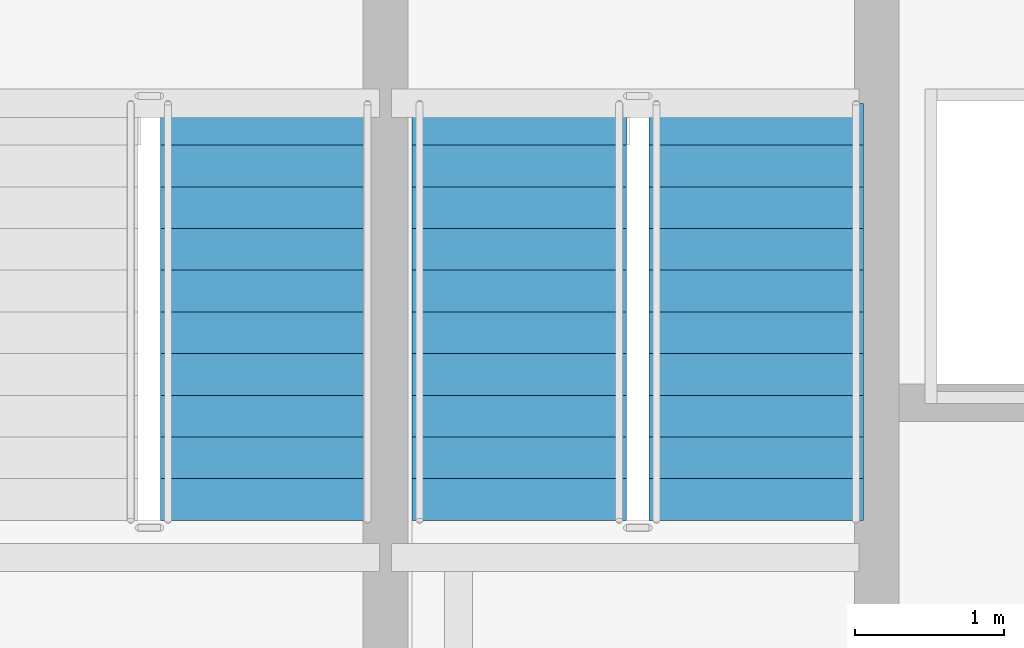
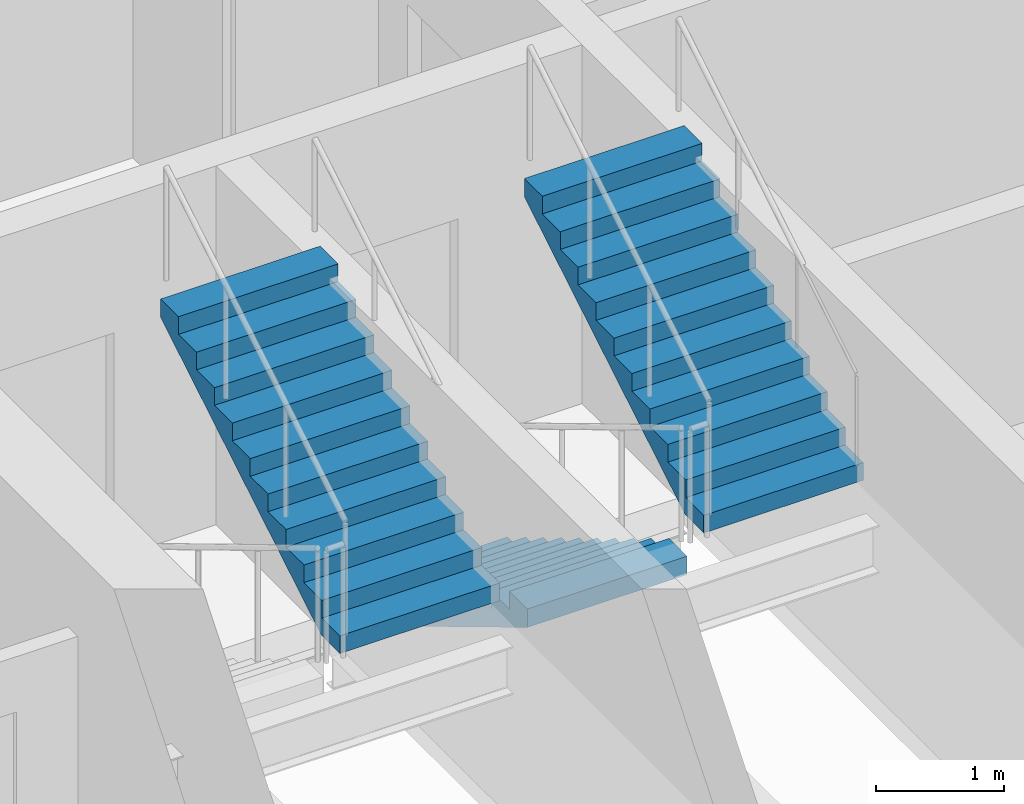
# One storey, part 29 of 34: 3 stair flights, 2 elements without a shape of their own.
"""IFC4 building model written with IfcOpenShell, lengths in metres."""

from ifc_helpers import new_model, si_unit, direction, frame, origin, place, context, subcontext, project, spatial, polyline, outline, extrude, material, layer, layer_set, type_object, element, aggregate, save


model = new_model("IFC4")

# Units and contexts
model_context = context("Model", 3, precision=1e-05, world=origin(), true_north=direction((0.0, 1.0)))
body_context = subcontext(model_context, "Body", "Model", "MODEL_VIEW")
ifc_project = project(units=[si_unit("LENGTHUNIT", "METRE"), si_unit("AREAUNIT", "SQUARE_METRE"), si_unit("VOLUMEUNIT", "CUBIC_METRE"), si_unit("PLANEANGLEUNIT", "RADIAN"), si_unit("MASSUNIT", "GRAM", prefix="KILO")], contexts=[model_context])

# Site, building, storey
site_placement = place(None, origin())
site = spatial("IfcSite", under=ifc_project, at=site_placement, CompositionType="ELEMENT")
building_placement = place(site_placement, origin())
building = spatial("IfcBuilding", under=site, at=building_placement, Name="Solvaryn Broadcast Tower", CompositionType="ELEMENT")
storey_placement = place(building_placement, frame((0.0, 0.0, 76.699951171875)))
storey = spatial("IfcBuildingStorey", under=building, at=storey_placement, Name="L18", CompositionType="ELEMENT", Elevation=76.699951171875)

# Stair, stair flight
ifc_material_1 = material(Name="Concrete f'c 60 MPa", Category="concrete")
stair_type = type_object("IfcStairType", Name="ST-CORE", PredefinedType="HALF_TURN_STAIR", material=ifc_material_1)
stair_1_placement = place(storey_placement, origin())
stair_1 = element("IfcStair", 1, at=stair_1_placement, inside=storey, type_object=stair_type, Name="L18 ST1", PredefinedType="HALF_TURN_STAIR")
ifc_material_2 = material(Name="Concrete f'c 60 MPa", Category="concrete")
ifc_layer = layer(ifc_material_2, 0.159912109375)
ifc_layer_set = layer_set([ifc_layer], Name="SF-CORE")
stair_flight_type = type_object("IfcStairFlightType", Name="SF-CORE", PredefinedType="STRAIGHT", material=ifc_layer_set)
stair_flight_1_placement = place(storey_placement, frame((13.830078125, 33.159912109375, 1.85009765625), z_axis=(0.0, 0.0, 1.0), x_axis=(0.0, 1.0, 0.0)))
stair_flight_1 = element("IfcStairFlight", 2, at=stair_flight_1_placement, type_object=stair_flight_type, Name="ST1 flight 2", NumberOfRisers=11, NumberOfTreads=10, PredefinedType="STRAIGHT", RiserHeight=0.168181818, TreadLength=0.28, context=body_context, shape_type="SweptSolid", body=[
    extrude(outline(polyline([(0.0, 0.0), (0.0, 0.168212890625), (0.280029296875, 0.168212890625), (0.280029296875, 0.33642578125), (0.56005859375, 0.33642578125), (0.56005859375, 0.504638671875), (0.840087890625, 0.504638671875), (0.840087890625, 0.672607421875), (1.1201171875, 0.672607421875), (1.1201171875, 0.8408203125), (1.39990234375, 0.8408203125), (1.39990234375, 1.009033203125), (1.679931640625, 1.009033203125), (1.679931640625, 1.17724609375), (1.9599609375, 1.17724609375), (1.9599609375, 1.345458984375), (2.239990234375, 1.345458984375), (2.239990234375, 1.513671875), (2.52001953125, 1.513671875), (2.52001953125, 1.681884765625), (2.800048828125, 1.681884765625), (2.800048828125, 1.85009765625), (2.800048828125, 1.5068359375), (0.291015625, 0.0), (0.0, 0.0)])), frame((0.0, 0.719970703125, 0.0), z_axis=(0.0, -1.0, 0.0), x_axis=(1.0, 0.0, 0.0)), (0.0, 0.0, 1.0), 1.43994140625),
])
aggregate(stair_1, [stair_flight_1])

# Stair, stair flights
stair_2_placement = place(storey_placement, origin())
stair_2 = element("IfcStair", 3, at=stair_2_placement, inside=storey, type_object=stair_type, Name="L18 ST2", PredefinedType="HALF_TURN_STAIR")
stair_flight_2_placement = place(storey_placement, frame((15.52001953125, 35.9599609375, 0.0), z_axis=(0.0, 0.0, 1.0), x_axis=(0.0, -1.0, 0.0)))
stair_flight_2 = element("IfcStairFlight", 4, at=stair_flight_2_placement, type_object=stair_flight_type, Name="ST2 flight 1", NumberOfRisers=11, NumberOfTreads=10, PredefinedType="STRAIGHT", RiserHeight=0.168181818, TreadLength=0.28, context=body_context, shape_type="SweptSolid", body=[
    extrude(outline(polyline([(0.0, 0.0), (0.0, 0.168212890625), (0.280029296875, 0.168212890625), (0.280029296875, 0.33642578125), (0.56005859375, 0.33642578125), (0.56005859375, 0.504638671875), (0.840087890625, 0.504638671875), (0.840087890625, 0.672607421875), (1.1201171875, 0.672607421875), (1.1201171875, 0.8408203125), (1.39990234375, 0.8408203125), (1.39990234375, 1.009033203125), (1.679931640625, 1.009033203125), (1.679931640625, 1.17724609375), (1.9599609375, 1.17724609375), (1.9599609375, 1.345458984375), (2.239990234375, 1.345458984375), (2.239990234375, 1.513671875), (2.52001953125, 1.513671875), (2.52001953125, 1.681884765625), (2.800048828125, 1.681884765625), (2.800048828125, 1.85009765625), (2.800048828125, 1.5068359375), (0.291015625, 0.0), (0.0, 0.0)])), frame((0.0, 0.719970703125, 0.0), z_axis=(0.0, -1.0, 0.0), x_axis=(1.0, 0.0, 0.0)), (0.0, 0.0, 1.0), 1.43994140625),
])
stair_flight_3_placement = place(storey_placement, frame((17.110107421875, 33.159912109375, 1.85009765625), z_axis=(0.0, 0.0, 1.0), x_axis=(0.0, 1.0, 0.0)))
stair_flight_3 = element("IfcStairFlight", 5, at=stair_flight_3_placement, type_object=stair_flight_type, Name="ST2 flight 2", NumberOfRisers=11, NumberOfTreads=10, PredefinedType="STRAIGHT", RiserHeight=0.168181818, TreadLength=0.28, context=body_context, shape_type="SweptSolid", body=[
    extrude(outline(polyline([(0.0, 0.0), (0.0, 0.168212890625), (0.280029296875, 0.168212890625), (0.280029296875, 0.33642578125), (0.56005859375, 0.33642578125), (0.56005859375, 0.504638671875), (0.840087890625, 0.504638671875), (0.840087890625, 0.672607421875), (1.1201171875, 0.672607421875), (1.1201171875, 0.8408203125), (1.39990234375, 0.8408203125), (1.39990234375, 1.009033203125), (1.679931640625, 1.009033203125), (1.679931640625, 1.17724609375), (1.9599609375, 1.17724609375), (1.9599609375, 1.345458984375), (2.239990234375, 1.345458984375), (2.239990234375, 1.513671875), (2.52001953125, 1.513671875), (2.52001953125, 1.681884765625), (2.800048828125, 1.681884765625), (2.800048828125, 1.85009765625), (2.800048828125, 1.5068359375), (0.291015625, 0.0), (0.0, 0.0)])), frame((0.0, 0.719970703125, 0.0), z_axis=(0.0, -1.0, 0.0), x_axis=(1.0, 0.0, 0.0)), (0.0, 0.0, 1.0), 1.43994140625),
])
aggregate(stair_2, [stair_flight_2, stair_flight_3])

save(model, "model.ifc")
